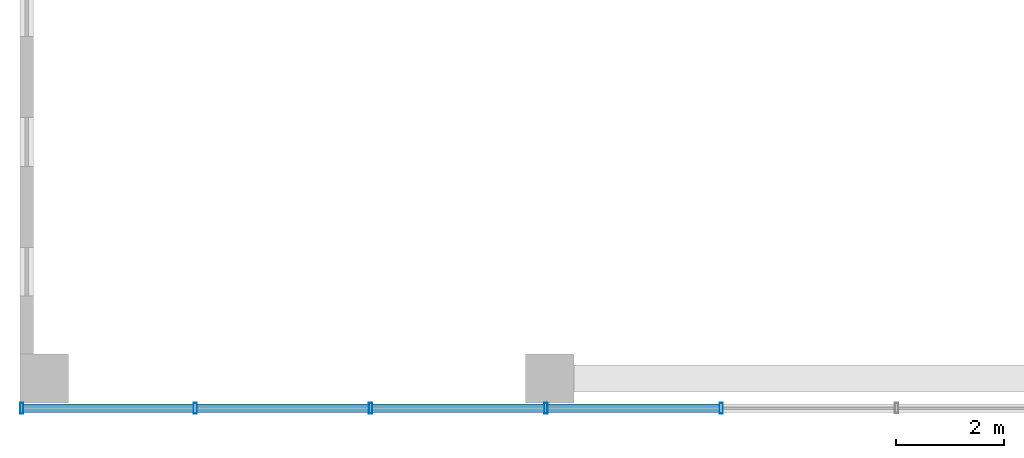
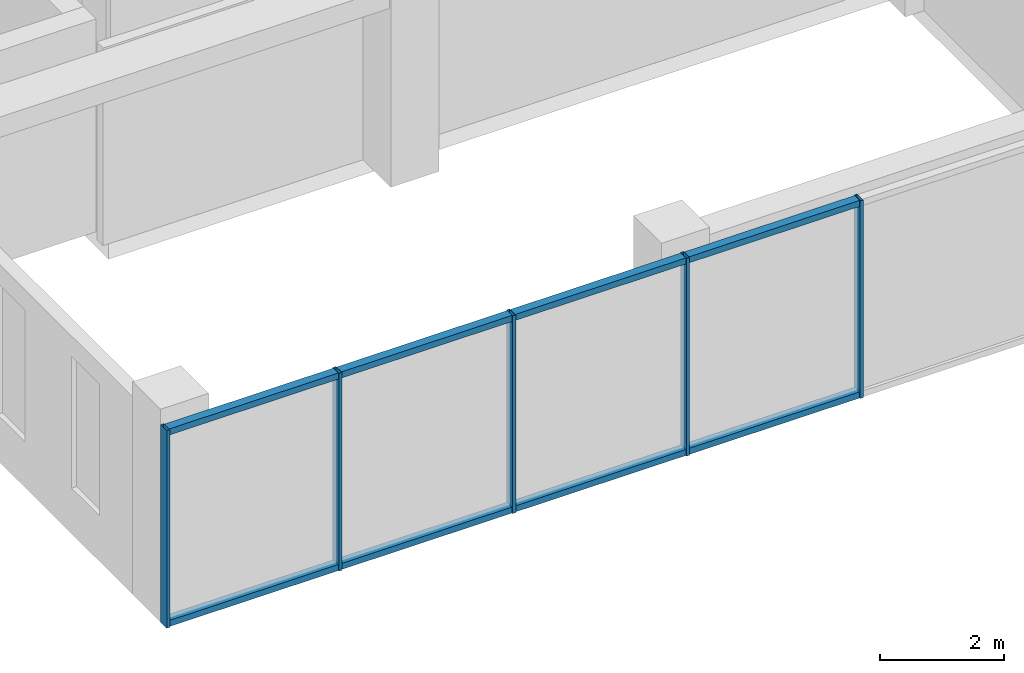
# One storey, part 2 of 37: 13 members, 1 element without a shape of its own.
"""IFC4 building model written with IfcOpenShell, lengths in metres."""

from ifc_helpers import new_model, si_unit, direction, frame, origin, origin_2d, place, context, subcontext, project, spatial, hollow_rectangle, extrude, material, layer, layer_set, material_profile, profile_set, type_object, element, aggregate, save


model = new_model("IFC4")

# Units and contexts
model_context = context("Model", 3, precision=1e-05, world=origin(), true_north=direction((0.0, 1.0)))
body_context = subcontext(model_context, "Body", "Model", "MODEL_VIEW")
ifc_project = project(units=[si_unit("LENGTHUNIT", "METRE"), si_unit("AREAUNIT", "SQUARE_METRE"), si_unit("VOLUMEUNIT", "CUBIC_METRE"), si_unit("PLANEANGLEUNIT", "RADIAN"), si_unit("MASSUNIT", "GRAM", prefix="KILO")], contexts=[model_context])

# Site, building, storey
site_placement = place(None, origin())
site = spatial("IfcSite", under=ifc_project, at=site_placement, CompositionType="ELEMENT")
building_placement = place(site_placement, origin())
building = spatial("IfcBuilding", under=site, at=building_placement, Name="Nzadi Deep Aquarium and Research Tower", CompositionType="ELEMENT")
storey_placement = place(building_placement, frame((0.0, 0.0, 61.300048828125)))
storey = spatial("IfcBuildingStorey", under=building, at=storey_placement, Name="L12", CompositionType="ELEMENT", Elevation=61.300048828125)

# Curtain wall, members
ifc_material_1 = material(Name="Aluminium unitised frame", Category="aluminium")
ifc_layer = layer(ifc_material_1, 0.199951171875)
ifc_layer_set = layer_set([ifc_layer], Name="Aluminium unitised frame")
curtain_wall_type = type_object("IfcCurtainWallType", Name="Curtain wall Unitised 200", PredefinedType="NOTDEFINED", material=ifc_layer_set)
curtain_wall_placement = place(storey_placement, origin())
curtain_wall = element("IfcCurtainWall", 1, at=curtain_wall_placement, inside=storey, type_object=curtain_wall_type, Name="Unitised curtain wall blade A south L12", PredefinedType="NOTDEFINED")
ifc_material_2 = material(Name="Aluminium unitised frame", Category="aluminium")
ifc_material_profile_1 = material_profile(ifc_material_2, hollow_rectangle(XDim=0.199951171875, YDim=0.06005859375, WallThickness=0.0048828125, at=origin_2d()))
ifc_profile_set_1 = profile_set([ifc_material_profile_1], Name="Aluminium unitised frame")
member_type_1 = type_object("IfcMemberType", Name="Mullion 60x200 Unitised", PredefinedType="MULLION", material=ifc_profile_set_1)
member_1_placement = place(storey_placement, frame((-0.16943359375, -0.10009765625, 0.0), z_axis=(0.0, 0.0, 1.0), x_axis=(0.0, 1.0, 0.0)))
member_1 = element("IfcMember", 2, at=member_1_placement, type_object=member_type_1, Name="CW050 mullion 1", PredefinedType="MULLION", context=body_context, shape_type="SweptSolid", body=[
    extrude(hollow_rectangle(XDim=0.199951171875, YDim=0.06005859375, WallThickness=0.0048828125, at=origin_2d()), origin(), (0.0, 0.0, 1.0), 3.89990234375),
])
member_2_placement = place(storey_placement, frame((3.043212890625, -0.10009765625, 0.0), z_axis=(0.0, 0.0, 1.0), x_axis=(0.0, 1.0, 0.0)))
member_2 = element("IfcMember", 3, at=member_2_placement, type_object=member_type_1, Name="CW050 mullion 2", PredefinedType="MULLION", context=body_context, shape_type="SweptSolid", body=[
    extrude(hollow_rectangle(XDim=0.199951171875, YDim=0.06005859375, WallThickness=0.0048828125, at=origin_2d()), origin(), (0.0, 0.0, 1.0), 3.89990234375),
])
member_3_placement = place(storey_placement, frame((6.28662109375, -0.10009765625, 0.0), z_axis=(0.0, 0.0, 1.0), x_axis=(0.0, 1.0, 0.0)))
member_3 = element("IfcMember", 4, at=member_3_placement, type_object=member_type_1, Name="CW050 mullion 3", PredefinedType="MULLION", context=body_context, shape_type="SweptSolid", body=[
    extrude(hollow_rectangle(XDim=0.199951171875, YDim=0.06005859375, WallThickness=0.0048828125, at=origin_2d()), origin(), (0.0, 0.0, 1.0), 3.89990234375),
])
member_4_placement = place(storey_placement, frame((9.530029296875, -0.10009765625, 0.0), z_axis=(0.0, 0.0, 1.0), x_axis=(0.0, 1.0, 0.0)))
member_4 = element("IfcMember", 5, at=member_4_placement, type_object=member_type_1, Name="CW050 mullion 4", PredefinedType="MULLION", context=body_context, shape_type="SweptSolid", body=[
    extrude(hollow_rectangle(XDim=0.199951171875, YDim=0.06005859375, WallThickness=0.0048828125, at=origin_2d()), origin(), (0.0, 0.0, 1.0), 3.89990234375),
])
member_5_placement = place(storey_placement, frame((12.7734375, -0.10009765625, 0.0), z_axis=(0.0, 0.0, 1.0), x_axis=(0.0, 1.0, 0.0)))
member_5 = element("IfcMember", 6, at=member_5_placement, type_object=member_type_1, Name="CW050 mullion 5", PredefinedType="MULLION", context=body_context, shape_type="SweptSolid", body=[
    extrude(hollow_rectangle(XDim=0.199951171875, YDim=0.06005859375, WallThickness=0.0048828125, at=origin_2d()), origin(), (0.0, 0.0, 1.0), 3.89990234375),
])
ifc_material_3 = material(Name="Aluminium unitised frame", Category="aluminium")
ifc_material_profile_2 = material_profile(ifc_material_3, hollow_rectangle(XDim=0.159912109375, YDim=0.1201171875, WallThickness=0.0048828125, at=origin_2d()))
ifc_profile_set_2 = profile_set([ifc_material_profile_2], Name="Aluminium unitised frame")
member_type_2 = type_object("IfcMemberType", Name="Transom 120x160 Unitised", PredefinedType="MULLION", material=ifc_profile_set_2)
member_6_placement = place(storey_placement, frame((-0.139892578125, -0.10009765625, 0.06005859375), z_axis=(1.0, 0.0, 0.0), x_axis=(0.0, 1.0, 0.0)))
member_6 = element("IfcMember", 7, at=member_6_placement, type_object=member_type_2, Name="CW050 transom 1.1", PredefinedType="MULLION", context=body_context, shape_type="SweptSolid", body=[
    extrude(hollow_rectangle(XDim=0.159912109375, YDim=0.1201171875, WallThickness=0.0048828125, at=origin_2d()), origin(), (0.0, 0.0, 1.0), 3.1533203125),
])
member_7_placement = place(storey_placement, frame((-0.139892578125, -0.10009765625, 3.83984375), z_axis=(1.0, 0.0, 0.0), x_axis=(0.0, 1.0, 0.0)))
member_7 = element("IfcMember", 8, at=member_7_placement, type_object=member_type_2, Name="CW050 transom 1.2", PredefinedType="MULLION", context=body_context, shape_type="SweptSolid", body=[
    extrude(hollow_rectangle(XDim=0.159912109375, YDim=0.1201171875, WallThickness=0.0048828125, at=origin_2d()), origin(), (0.0, 0.0, 1.0), 3.1533203125),
])
member_8_placement = place(storey_placement, frame((3.0732421875, -0.10009765625, 0.06005859375), z_axis=(1.0, 0.0, 0.0), x_axis=(0.0, 1.0, 0.0)))
member_8 = element("IfcMember", 9, at=member_8_placement, type_object=member_type_2, Name="CW050 transom 2.1", PredefinedType="MULLION", context=body_context, shape_type="SweptSolid", body=[
    extrude(hollow_rectangle(XDim=0.159912109375, YDim=0.1201171875, WallThickness=0.0048828125, at=origin_2d()), origin(), (0.0, 0.0, 1.0), 3.183349609375),
])
member_9_placement = place(storey_placement, frame((3.0732421875, -0.10009765625, 3.83984375), z_axis=(1.0, 0.0, 0.0), x_axis=(0.0, 1.0, 0.0)))
member_9 = element("IfcMember", 10, at=member_9_placement, type_object=member_type_2, Name="CW050 transom 2.2", PredefinedType="MULLION", context=body_context, shape_type="SweptSolid", body=[
    extrude(hollow_rectangle(XDim=0.159912109375, YDim=0.1201171875, WallThickness=0.0048828125, at=origin_2d()), origin(), (0.0, 0.0, 1.0), 3.183349609375),
])
member_10_placement = place(storey_placement, frame((6.316650390625, -0.10009765625, 0.06005859375), z_axis=(1.0, 0.0, 0.0), x_axis=(0.0, 1.0, 0.0)))
member_10 = element("IfcMember", 11, at=member_10_placement, type_object=member_type_2, Name="CW050 transom 3.1", PredefinedType="MULLION", context=body_context, shape_type="SweptSolid", body=[
    extrude(hollow_rectangle(XDim=0.159912109375, YDim=0.1201171875, WallThickness=0.0048828125, at=origin_2d()), origin(), (0.0, 0.0, 1.0), 3.183349609375),
])
member_11_placement = place(storey_placement, frame((6.316650390625, -0.10009765625, 3.83984375), z_axis=(1.0, 0.0, 0.0), x_axis=(0.0, 1.0, 0.0)))
member_11 = element("IfcMember", 12, at=member_11_placement, type_object=member_type_2, Name="CW050 transom 3.2", PredefinedType="MULLION", context=body_context, shape_type="SweptSolid", body=[
    extrude(hollow_rectangle(XDim=0.159912109375, YDim=0.1201171875, WallThickness=0.0048828125, at=origin_2d()), origin(), (0.0, 0.0, 1.0), 3.183349609375),
])
member_12_placement = place(storey_placement, frame((9.56005859375, -0.10009765625, 0.06005859375), z_axis=(1.0, 0.0, 0.0), x_axis=(0.0, 1.0, 0.0)))
member_12 = element("IfcMember", 13, at=member_12_placement, type_object=member_type_2, Name="CW050 transom 4.1", PredefinedType="MULLION", context=body_context, shape_type="SweptSolid", body=[
    extrude(hollow_rectangle(XDim=0.159912109375, YDim=0.1201171875, WallThickness=0.0048828125, at=origin_2d()), origin(), (0.0, 0.0, 1.0), 3.183349609375),
])
member_13_placement = place(storey_placement, frame((9.56005859375, -0.10009765625, 3.83984375), z_axis=(1.0, 0.0, 0.0), x_axis=(0.0, 1.0, 0.0)))
member_13 = element("IfcMember", 14, at=member_13_placement, type_object=member_type_2, Name="CW050 transom 4.2", PredefinedType="MULLION", context=body_context, shape_type="SweptSolid", body=[
    extrude(hollow_rectangle(XDim=0.159912109375, YDim=0.1201171875, WallThickness=0.0048828125, at=origin_2d()), origin(), (0.0, 0.0, 1.0), 3.183349609375),
])
aggregate(curtain_wall, [member_1, member_2, member_3, member_4, member_5, member_6, member_7, member_8, member_9, member_10, member_11, member_12, member_13])

save(model, "model.ifc")
